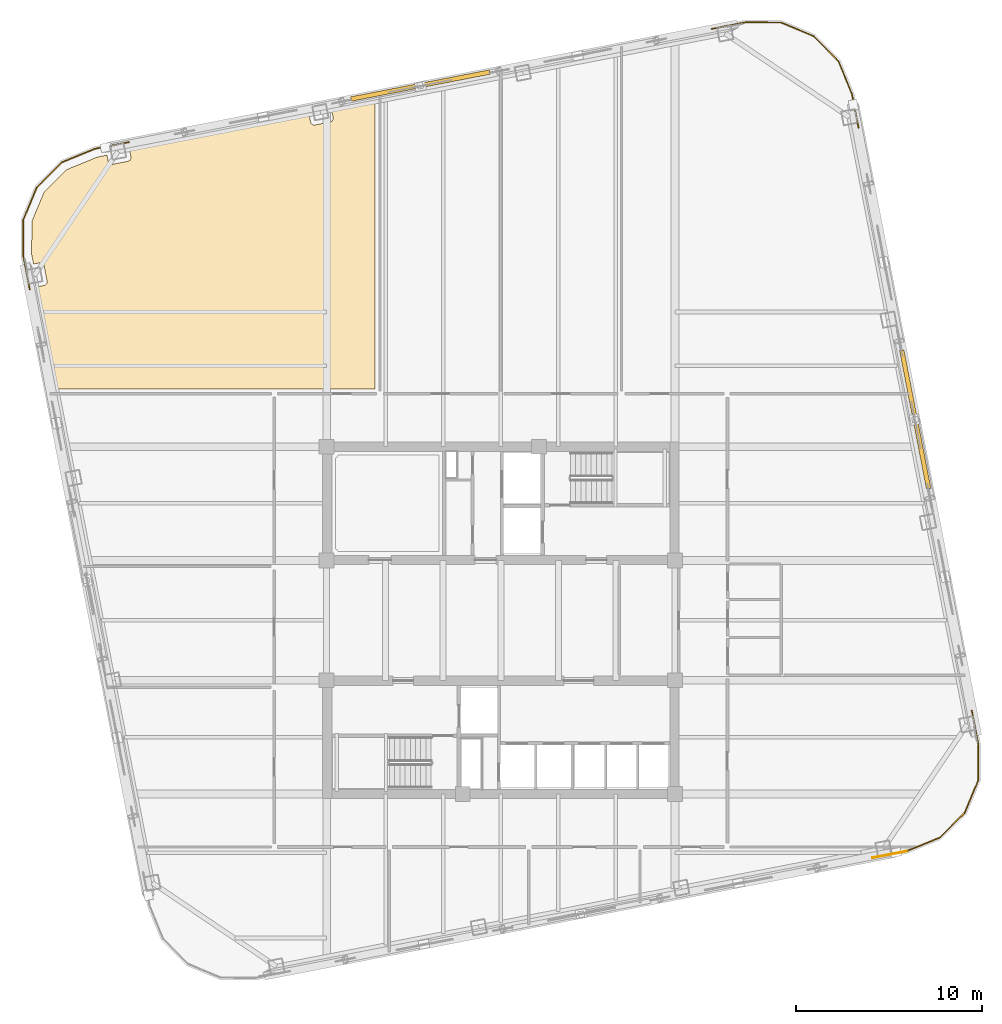
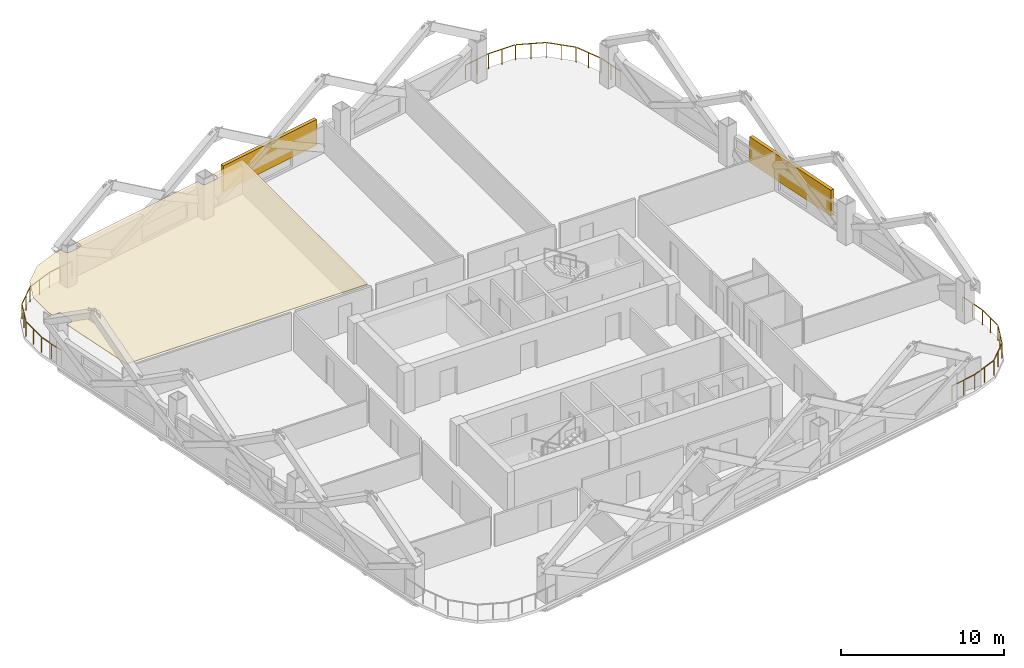
# One storey, part 10 of 10: 4 railings, 2 shading devices, 1 covering.
"""IFC4 building model written with IfcOpenShell, lengths in metres."""

from ifc_helpers import new_model, si_unit, direction, frame, origin, origin_2d, place, context, subcontext, project, spatial, polyline, rectangle, outline, extrude, material, layer, layer_set, type_object, element, save


model = new_model("IFC4")

# Units and contexts
model_context = context("Model", 3, precision=1e-05, world=origin(), true_north=direction((0.0, 1.0)))
body_context = subcontext(model_context, "Body", "Model", "MODEL_VIEW")
ifc_project = project(units=[si_unit("LENGTHUNIT", "METRE"), si_unit("AREAUNIT", "SQUARE_METRE"), si_unit("VOLUMEUNIT", "CUBIC_METRE"), si_unit("PLANEANGLEUNIT", "RADIAN"), si_unit("MASSUNIT", "GRAM", prefix="KILO")], contexts=[model_context])

# Site, building, storey
site_placement = place(None, origin())
site = spatial("IfcSite", under=ifc_project, at=site_placement, CompositionType="ELEMENT")
building_placement = place(site_placement, origin())
building = spatial("IfcBuilding", under=site, at=building_placement, Name="Qhalaya Broadcast Tower", CompositionType="ELEMENT")
storey_placement = place(building_placement, frame((0.0, 0.0, 131.10009765625)))
storey = spatial("IfcBuildingStorey", under=building, at=storey_placement, Name="L38", CompositionType="ELEMENT", Elevation=131.10009765625)

# Covering
ifc_material_1 = material(Name="Acoustic Mineral-Fibre Ceiling")
ifc_layer = layer(ifc_material_1, 0.0400390625, Name="Acoustic Mineral-Fibre Ceiling")
ifc_layer_set = layer_set([ifc_layer], Name="Acoustic Mineral-Fibre Ceiling")
covering_type = type_object("IfcCoveringType", Name="Acoustic Mineral-Fibre Suspended Ceiling CLG-01", PredefinedType="CEILING", material=ifc_layer_set)
covering_placement = place(storey_placement, frame((0.0, 0.0, 2.789794921875)))
element("IfcCovering", 1, at=covering_placement, inside=storey, type_object=covering_type, Name="L38 Acoustic Suspended Ceiling 02", PredefinedType="CEILING", context=body_context, shape_type="SweptSolid", body=[
    extrude(outline(polyline([(-24.91943359375, 18.566162109375), (-23.84912109375, 13.06005859375), (-6.760009765625, 13.06005859375), (-6.760009765625, 28.452880859375), (-9.088623046875, 28.0), (-9.02392578125, 27.66650390625), (-9.02099609375, 27.64697265625), (-9.020263671875, 27.62744140625), (-9.021240234375, 27.60791015625), (-9.024169921875, 27.58837890625), (-9.029052734375, 27.5693359375), (-9.035888671875, 27.551025390625), (-9.044189453125, 27.533203125), (-9.054443359375, 27.5166015625), (-9.066162109375, 27.500732421875), (-9.079345703125, 27.486328125), (-9.093994140625, 27.47314453125), (-9.10986328125, 27.46142578125), (-9.126708984375, 27.451416015625), (-9.14453125, 27.443115234375), (-9.1630859375, 27.436767578125), (-9.181884765625, 27.431884765625), (-10.006591796875, 27.271728515625), (-10.02587890625, 27.268798828125), (-10.045654296875, 27.26806640625), (-10.065185546875, 27.26904296875), (-10.084716796875, 27.27197265625), (-10.103515625, 27.27685546875), (-10.1220703125, 27.28369140625), (-10.1396484375, 27.2919921875), (-10.156494140625, 27.30224609375), (-10.17236328125, 27.31396484375), (-10.186767578125, 27.3271484375), (-10.199951171875, 27.341796875), (-10.21142578125, 27.357666015625), (-10.221435546875, 27.37451171875), (-10.229736328125, 27.392333984375), (-10.236328125, 27.410888671875), (-10.240966796875, 27.4296875), (-10.305908203125, 27.763427734375), (-19.98486328125, 25.882080078125), (-19.919921875, 25.548583984375), (-19.917236328125, 25.529052734375), (-19.916259765625, 25.509521484375), (-19.91748046875, 25.48974609375), (-19.92041015625, 25.470458984375), (-19.92529296875, 25.451416015625), (-19.931884765625, 25.43310546875), (-19.940185546875, 25.415283203125), (-19.950439453125, 25.3984375), (-19.96240234375, 25.3828125), (-19.9755859375, 25.368408203125), (-19.989990234375, 25.35498046875), (-20.005859375, 25.343505859375), (-20.022705078125, 25.33349609375), (-20.04052734375, 25.3251953125), (-20.05908203125, 25.318603515625), (-20.078125, 25.31396484375), (-20.902587890625, 25.15380859375), (-20.922119140625, 25.15087890625), (-20.941650390625, 25.14990234375), (-20.961181640625, 25.15087890625), (-20.980712890625, 25.154052734375), (-20.999755859375, 25.158935546875), (-21.01806640625, 25.16552734375), (-21.035888671875, 25.174072265625), (-21.052490234375, 25.18408203125), (-21.068359375, 25.196044921875), (-21.082763671875, 25.209228515625), (-21.095947265625, 25.223876953125), (-21.107666015625, 25.239501953125), (-21.11767578125, 25.256591796875), (-21.1259765625, 25.2744140625), (-21.13232421875, 25.292724609375), (-21.13720703125, 25.311767578125), (-21.201904296875, 25.6455078125), (-21.71533203125, 25.545654296875), (-23.361328125, 24.872314453125), (-24.5830078125, 23.661376953125), (-25.248046875, 22.074951171875), (-25.255859375, 20.296630859375), (-25.156005859375, 19.783447265625), (-24.822509765625, 19.84814453125), (-24.802978515625, 19.85107421875), (-24.783203125, 19.851806640625), (-24.763671875, 19.850830078125), (-24.744384765625, 19.847900390625), (-24.725341796875, 19.843017578125), (-24.706787109375, 19.836181640625), (-24.689208984375, 19.827880859375), (-24.67236328125, 19.817626953125), (-24.656494140625, 19.805908203125), (-24.64208984375, 19.792724609375), (-24.62890625, 19.778076171875), (-24.617431640625, 19.76220703125), (-24.607421875, 19.745361328125), (-24.59912109375, 19.7275390625), (-24.592529296875, 19.708984375), (-24.587890625, 19.690185546875), (-24.427490234375, 18.865478515625), (-24.4248046875, 18.84619140625), (-24.423828125, 18.826416015625), (-24.4248046875, 18.806884765625), (-24.427978515625, 18.78759765625), (-24.432861328125, 18.7685546875), (-24.439453125, 18.75), (-24.447998046875, 18.732421875), (-24.4580078125, 18.715576171875), (-24.4697265625, 18.699951171875), (-24.483154296875, 18.685302734375), (-24.497802734375, 18.67236328125), (-24.513427734375, 18.66064453125), (-24.530517578125, 18.650634765625), (-24.548095703125, 18.642333984375), (-24.566650390625, 18.6357421875), (-24.585693359375, 18.631103515625), (-24.91943359375, 18.566162109375)])), origin(), (0.0, 0.0, 1.0), 0.0400390625),
])

# Railings
ifc_material_2 = material(Name="Powder-Coated Galvanised Steel", Category="steel")
railing_type = type_object("IfcRailingType", Name="Terrace, Sky-Pool & Lookout Glass Balustrade 1150", PredefinedType="BALUSTRADE", material=ifc_material_2)
railing_1_placement = place(storey_placement, frame((21.847412109375, -11.82861328125, 0.0)))
element("IfcRailing", 2, at=railing_1_placement, inside=storey, type_object=railing_type, Name="L38 Rounded Corner Perimeter Guard 01", PredefinedType="BALUSTRADE", context=body_context, shape_type="SweptSolid", body=[
    extrude(rectangle(XDim=0.048095703125, YDim=0.048095703125, at=origin_2d()), frame((0.0, 0.0, 1.1259765625), z_axis=(-0.981618812261, -0.190852056357, 0.0), x_axis=(0.190852056357, -0.981618812261, 0.0)), (0.0, 0.0, 1.0), 1.856201171875),
    extrude(rectangle(XDim=0.0419921875, YDim=0.0419921875, at=origin_2d()), origin(), (0.0, 0.0, 1.0), 1.099853515625),
    extrude(rectangle(XDim=0.0419921875, YDim=0.0419921875, at=origin_2d()), frame((-0.9111328125, -0.17724609375, 0.0)), (0.0, 0.0, 1.0), 1.099853515625),
    extrude(rectangle(XDim=0.0419921875, YDim=0.0419921875, at=origin_2d()), frame((-1.822021484375, -0.354248046875, 0.0)), (0.0, 0.0, 1.0), 1.099853515625),
])
railing_2_placement = place(storey_placement, frame((-25.36181640625, 18.43115234375, 0.0)))
element("IfcRailing", 3, at=railing_2_placement, inside=storey, type_object=railing_type, Name="L38 Rounded Corner Perimeter Guard 03", PredefinedType="BALUSTRADE", context=body_context, shape_type="SweptSolid", body=[
    extrude(rectangle(XDim=0.048095703125, YDim=0.048095703125, at=origin_2d()), frame((0.0, 0.0, 1.1259765625), z_axis=(-0.190827417864, 0.981623602299, 0.0), x_axis=(-0.981623602299, -0.190827417864, 0.0)), (0.0, 0.0, 1.0), 1.82763671875),
    extrude(rectangle(XDim=0.048095703125, YDim=0.048095703125, at=origin_2d()), frame((-0.35400390625, 1.85107421875, 1.1259765625), z_axis=(0.004334482484, 0.999990606087, 0.0), x_axis=(-0.999990606087, 0.004334482484, 0.0)), (0.0, 0.0, 1.0), 1.857421875),
    extrude(rectangle(XDim=0.048095703125, YDim=0.048095703125, at=origin_2d()), frame((-0.334716796875, 3.763916015625, 1.1259765625), z_axis=(0.386754828875, 0.922182575384, 0.0), x_axis=(-0.922182575384, 0.386754828875, 0.0)), (0.0, 0.0, 1.0), 1.845458984375),
    extrude(rectangle(XDim=0.048095703125, YDim=0.048095703125, at=origin_2d()), frame((0.41064453125, 5.5126953125, 1.1259765625), z_axis=(0.710178888649, 0.704021268228, 0.0), x_axis=(-0.704021268228, 0.710178888649, 0.0)), (0.0, 0.0, 1.0), 1.845458984375),
    extrude(rectangle(XDim=0.048095703125, YDim=0.048095703125, at=origin_2d()), frame((1.768310546875, 6.84326171875, 1.1259765625), z_axis=(0.92552055863, 0.378697366711, 0.0), x_axis=(-0.378697366711, 0.92552055863, 0.0)), (0.0, 0.0, 1.0), 1.857666015625),
    extrude(rectangle(XDim=0.048095703125, YDim=0.048095703125, at=origin_2d()), frame((3.542724609375, 7.563232421875, 1.1259765625), z_axis=(0.981643446311, 0.190725311155, 0.0), x_axis=(-0.190725311155, 0.981643446311, 0.0)), (0.0, 0.0, 1.0), 1.8271484375),
    extrude(rectangle(XDim=0.0419921875, YDim=0.0419921875, at=origin_2d()), origin(), (0.0, 0.0, 1.0), 1.099853515625),
    extrude(rectangle(XDim=0.0419921875, YDim=0.0419921875, at=origin_2d()), frame((-0.17724609375, 0.9111328125, 0.0)), (0.0, 0.0, 1.0), 1.099853515625),
    extrude(rectangle(XDim=0.0419921875, YDim=0.0419921875, at=origin_2d()), frame((-0.354248046875, 1.822265625, 0.0)), (0.0, 0.0, 1.0), 1.099853515625),
    extrude(rectangle(XDim=0.0419921875, YDim=0.0419921875, at=origin_2d()), frame((-0.35009765625, 2.77978515625, 0.0)), (0.0, 0.0, 1.0), 1.099853515625),
    extrude(rectangle(XDim=0.0419921875, YDim=0.0419921875, at=origin_2d()), frame((-0.345947265625, 3.7373046875, 0.0)), (0.0, 0.0, 1.0), 1.099853515625),
    extrude(rectangle(XDim=0.0419921875, YDim=0.0419921875, at=origin_2d()), frame((0.02197265625, 4.61474609375, 0.0)), (0.0, 0.0, 1.0), 1.099853515625),
    extrude(rectangle(XDim=0.0419921875, YDim=0.0419921875, at=origin_2d()), frame((0.39013671875, 5.492431640625, 0.0)), (0.0, 0.0, 1.0), 1.099853515625),
    extrude(rectangle(XDim=0.0419921875, YDim=0.0419921875, at=origin_2d()), frame((1.06591796875, 6.162353515625, 0.0)), (0.0, 0.0, 1.0), 1.099853515625),
    extrude(rectangle(XDim=0.0419921875, YDim=0.0419921875, at=origin_2d()), frame((1.74169921875, 6.832275390625, 0.0)), (0.0, 0.0, 1.0), 1.099853515625),
    extrude(rectangle(XDim=0.0419921875, YDim=0.0419921875, at=origin_2d()), frame((2.6279296875, 7.19482421875, 0.0)), (0.0, 0.0, 1.0), 1.099853515625),
    extrude(rectangle(XDim=0.0419921875, YDim=0.0419921875, at=origin_2d()), frame((3.514404296875, 7.5576171875, 0.0)), (0.0, 0.0, 1.0), 1.099853515625),
    extrude(rectangle(XDim=0.0419921875, YDim=0.0419921875, at=origin_2d()), frame((4.42529296875, 7.734619140625, 0.0)), (0.0, 0.0, 1.0), 1.099853515625),
    extrude(rectangle(XDim=0.0419921875, YDim=0.0419921875, at=origin_2d()), frame((5.33642578125, 7.91162109375, 0.0)), (0.0, 0.0, 1.0), 1.099853515625),
])
railing_3_placement = place(storey_placement, frame((11.351318359375, 32.44189453125, 0.0)))
element("IfcRailing", 4, at=railing_3_placement, inside=storey, type_object=railing_type, Name="L38 Rounded Corner Perimeter Guard 04", PredefinedType="BALUSTRADE", context=body_context, shape_type="SweptSolid", body=[
    extrude(rectangle(XDim=0.048095703125, YDim=0.048095703125, at=origin_2d()), frame((0.0, 0.0, 1.1259765625), z_axis=(0.981643446311, 0.190725311155, 0.0), x_axis=(-0.190725311155, 0.981643446311, 0.0)), (0.0, 0.0, 1.0), 1.8271484375),
    extrude(rectangle(XDim=0.048095703125, YDim=0.048095703125, at=origin_2d()), frame((1.850830078125, 0.353759765625, 1.1259765625), z_axis=(0.999990606087, -0.004334482484, 0.0), x_axis=(0.004334482484, 0.999990606087, 0.0)), (0.0, 0.0, 1.0), 1.857421875),
    extrude(rectangle(XDim=0.048095703125, YDim=0.048095703125, at=origin_2d()), frame((3.763671875, 0.33447265625, 1.1259765625), z_axis=(0.922247496545, -0.386599993684, 0.0), x_axis=(0.386599993684, 0.922247496545, 0.0)), (0.0, 0.0, 1.0), 1.845703125),
    extrude(rectangle(XDim=0.048095703125, YDim=0.048095703125, at=origin_2d()), frame((5.5126953125, -0.41064453125, 1.1259765625), z_axis=(0.704021268228, -0.710178888649, 0.0), x_axis=(0.710178888649, 0.704021268228, 0.0)), (0.0, 0.0, 1.0), 1.845458984375),
    extrude(rectangle(XDim=0.048095703125, YDim=0.048095703125, at=origin_2d()), frame((6.84326171875, -1.768310546875, 1.1259765625), z_axis=(0.378588174109, -0.925565229698, 0.0), x_axis=(0.925565229698, 0.378588174109, 0.0)), (0.0, 0.0, 1.0), 1.857666015625),
    extrude(rectangle(XDim=0.048095703125, YDim=0.048095703125, at=origin_2d()), frame((7.56298828125, -3.542724609375, 1.1259765625), z_axis=(0.190725311155, -0.981643446311, 0.0), x_axis=(0.981643446311, 0.190725311155, 0.0)), (0.0, 0.0, 1.0), 1.8271484375),
    extrude(rectangle(XDim=0.0419921875, YDim=0.0419921875, at=origin_2d()), origin(), (0.0, 0.0, 1.0), 1.099853515625),
    extrude(rectangle(XDim=0.0419921875, YDim=0.0419921875, at=origin_2d()), frame((0.9111328125, 0.177001953125, 0.0)), (0.0, 0.0, 1.0), 1.099853515625),
    extrude(rectangle(XDim=0.0419921875, YDim=0.0419921875, at=origin_2d()), frame((1.822021484375, 0.35400390625, 0.0)), (0.0, 0.0, 1.0), 1.099853515625),
    extrude(rectangle(XDim=0.0419921875, YDim=0.0419921875, at=origin_2d()), frame((2.779541015625, 0.349853515625, 0.0)), (0.0, 0.0, 1.0), 1.099853515625),
    extrude(rectangle(XDim=0.0419921875, YDim=0.0419921875, at=origin_2d()), frame((3.737060546875, 0.345703125, 0.0)), (0.0, 0.0, 1.0), 1.099853515625),
    extrude(rectangle(XDim=0.0419921875, YDim=0.0419921875, at=origin_2d()), frame((4.61474609375, -0.022216796875, 0.0)), (0.0, 0.0, 1.0), 1.099853515625),
    extrude(rectangle(XDim=0.0419921875, YDim=0.0419921875, at=origin_2d()), frame((5.492431640625, -0.39013671875, 0.0)), (0.0, 0.0, 1.0), 1.099853515625),
    extrude(rectangle(XDim=0.0419921875, YDim=0.0419921875, at=origin_2d()), frame((6.162353515625, -1.06591796875, 0.0)), (0.0, 0.0, 1.0), 1.099853515625),
    extrude(rectangle(XDim=0.0419921875, YDim=0.0419921875, at=origin_2d()), frame((6.832275390625, -1.74169921875, 0.0)), (0.0, 0.0, 1.0), 1.099853515625),
    extrude(rectangle(XDim=0.0419921875, YDim=0.0419921875, at=origin_2d()), frame((7.19482421875, -2.6279296875, 0.0)), (0.0, 0.0, 1.0), 1.099853515625),
    extrude(rectangle(XDim=0.0419921875, YDim=0.0419921875, at=origin_2d()), frame((7.557373046875, -3.514404296875, 0.0)), (0.0, 0.0, 1.0), 1.099853515625),
    extrude(rectangle(XDim=0.0419921875, YDim=0.0419921875, at=origin_2d()), frame((7.734375, -4.42529296875, 0.0)), (0.0, 0.0, 1.0), 1.099853515625),
    extrude(rectangle(XDim=0.0419921875, YDim=0.0419921875, at=origin_2d()), frame((7.911376953125, -5.33642578125, 0.0)), (0.0, 0.0, 1.0), 1.099853515625),
])
railing_4_placement = place(storey_placement, frame((25.36181640625, -4.271240234375, 0.0)))
element("IfcRailing", 5, at=railing_4_placement, inside=storey, type_object=railing_type, Name="L38 Rounded Corner Perimeter Guard 05", PredefinedType="BALUSTRADE", context=body_context, shape_type="SweptSolid", body=[
    extrude(rectangle(XDim=0.048095703125, YDim=0.048095703125, at=origin_2d()), frame((0.0, 0.0, 1.1259765625), z_axis=(0.190827417864, -0.981623602299, 0.0), x_axis=(0.981623602299, 0.190827417864, 0.0)), (0.0, 0.0, 1.0), 1.82763671875),
    extrude(rectangle(XDim=0.048095703125, YDim=0.048095703125, at=origin_2d()), frame((0.35400390625, -1.85107421875, 1.1259765625), z_axis=(-0.004334482484, -0.999990606087, 0.0), x_axis=(0.999990606087, -0.004334482484, 0.0)), (0.0, 0.0, 1.0), 1.857421875),
    extrude(rectangle(XDim=0.048095703125, YDim=0.048095703125, at=origin_2d()), frame((0.334716796875, -3.763916015625, 1.1259765625), z_axis=(-0.386754828875, -0.922182575384, 0.0), x_axis=(0.922182575384, -0.386754828875, 0.0)), (0.0, 0.0, 1.0), 1.845458984375),
    extrude(rectangle(XDim=0.048095703125, YDim=0.048095703125, at=origin_2d()), frame((-0.41064453125, -5.5126953125, 1.1259765625), z_axis=(-0.710178888649, -0.704021268228, 0.0), x_axis=(0.704021268228, -0.710178888649, 0.0)), (0.0, 0.0, 1.0), 1.845458984375),
    extrude(rectangle(XDim=0.048095703125, YDim=0.048095703125, at=origin_2d()), frame((-1.768310546875, -6.84326171875, 1.1259765625), z_axis=(-0.925565229698, -0.378588174109, 0.0), x_axis=(0.378588174109, -0.925565229698, 0.0)), (0.0, 0.0, 1.0), 1.886474609375),
    extrude(rectangle(XDim=0.0419921875, YDim=0.0419921875, at=origin_2d()), origin(), (0.0, 0.0, 1.0), 1.099853515625),
    extrude(rectangle(XDim=0.0419921875, YDim=0.0419921875, at=origin_2d()), frame((0.17724609375, -0.9111328125, 0.0)), (0.0, 0.0, 1.0), 1.099853515625),
    extrude(rectangle(XDim=0.0419921875, YDim=0.0419921875, at=origin_2d()), frame((0.354248046875, -1.822265625, 0.0)), (0.0, 0.0, 1.0), 1.099853515625),
    extrude(rectangle(XDim=0.0419921875, YDim=0.0419921875, at=origin_2d()), frame((0.35009765625, -2.77978515625, 0.0)), (0.0, 0.0, 1.0), 1.099853515625),
    extrude(rectangle(XDim=0.0419921875, YDim=0.0419921875, at=origin_2d()), frame((0.345947265625, -3.7373046875, 0.0)), (0.0, 0.0, 1.0), 1.099853515625),
    extrude(rectangle(XDim=0.0419921875, YDim=0.0419921875, at=origin_2d()), frame((-0.02197265625, -4.61474609375, 0.0)), (0.0, 0.0, 1.0), 1.099853515625),
    extrude(rectangle(XDim=0.0419921875, YDim=0.0419921875, at=origin_2d()), frame((-0.39013671875, -5.492431640625, 0.0)), (0.0, 0.0, 1.0), 1.099853515625),
    extrude(rectangle(XDim=0.0419921875, YDim=0.0419921875, at=origin_2d()), frame((-1.06591796875, -6.162353515625, 0.0)), (0.0, 0.0, 1.0), 1.099853515625),
    extrude(rectangle(XDim=0.0419921875, YDim=0.0419921875, at=origin_2d()), frame((-1.74169921875, -6.832275390625, 0.0)), (0.0, 0.0, 1.0), 1.099853515625),
    extrude(rectangle(XDim=0.0419921875, YDim=0.0419921875, at=origin_2d()), frame((-2.6279296875, -7.19482421875, 0.0)), (0.0, 0.0, 1.0), 1.099853515625),
    extrude(rectangle(XDim=0.0419921875, YDim=0.0419921875, at=origin_2d()), frame((-3.514404296875, -7.557373046875, 0.0)), (0.0, 0.0, 1.0), 1.099853515625),
])

# Shading devices
ifc_material_3 = material(Name="Fired Architectural Terracotta", Category="masonry")
shading_device_type = type_object("IfcShadingDeviceType", Name="Terracotta Baguette Solar Screen Assembly TBS-01", PredefinedType="USERDEFINED", material=ifc_material_3)
for number, where, z_axis, x_axis, name in (
    (6, (22.3125, 11.4169921875, 0.79248046875), (0.0, 0.0, 1.0), (-0.190808995377, 0.981627183448, 0.0), "L38 Fired Terracotta Baguette Screen E"),
    (7, (-4.337158203125, 29.392333984375, 0.79248046875), (0.0, 0.0, 1.0), (-0.981627183448, -0.190808995377, 0.0), "L38 Fired Terracotta Baguette Screen N"),
):
    element("IfcShadingDevice", number, at=place(storey_placement, frame(where, z_axis=z_axis, x_axis=x_axis)), inside=storey, type_object=shading_device_type, Name=name, ObjectType="BAGUETTE", PredefinedType="USERDEFINED", context=body_context, shape_type="SweptSolid", body=[
        extrude(rectangle(XDim=7.60009765625, YDim=0.239990234375, at=origin_2d()), origin(), (0.0, 0.0, 1.0), 1.924072265625),
    ])

save(model, "model.ifc")
